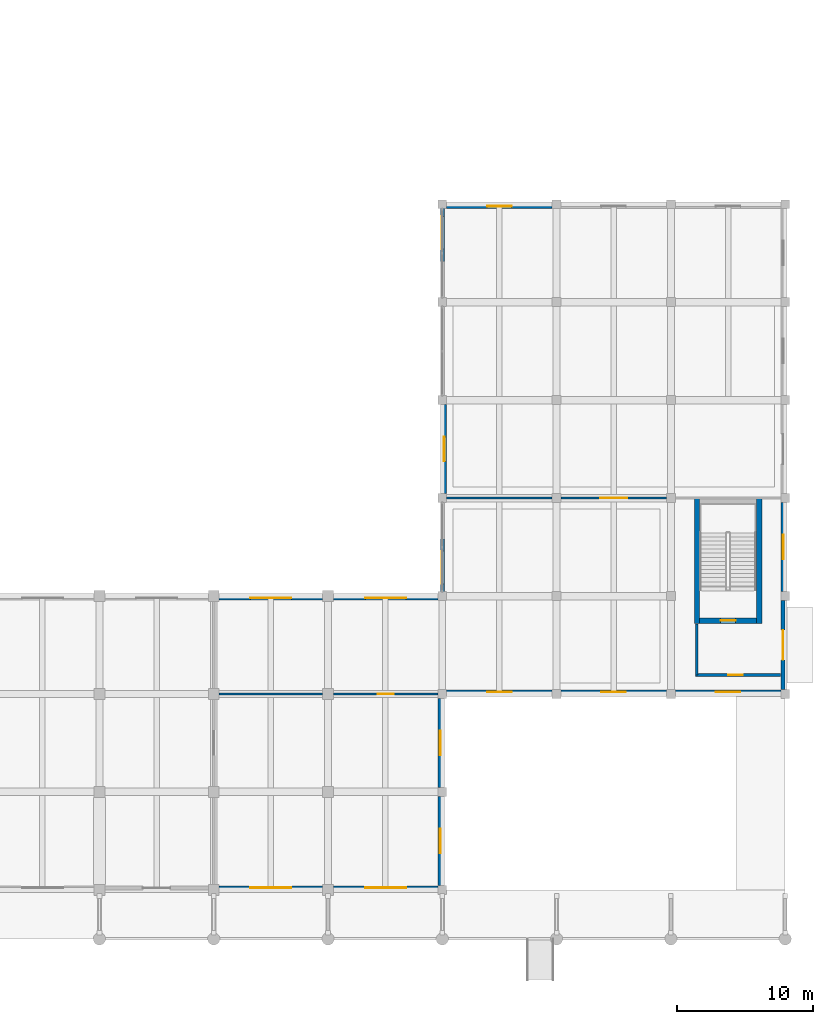
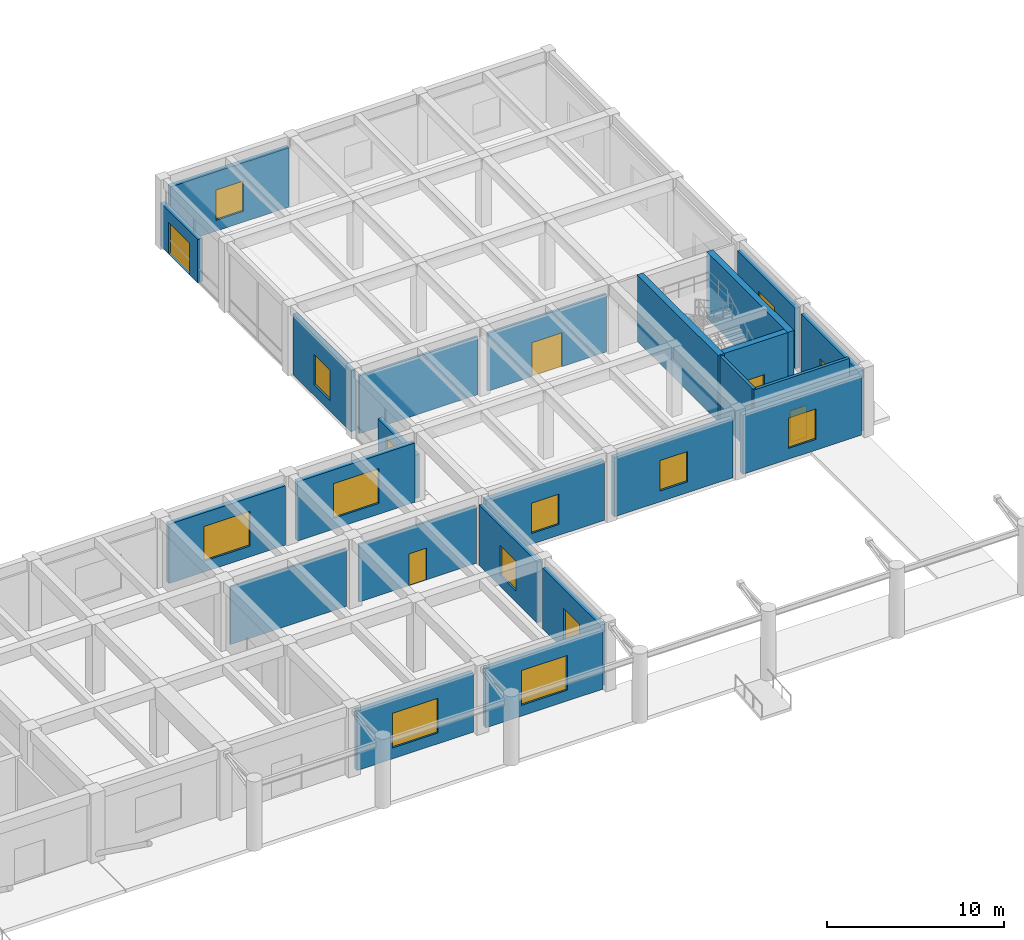
# One storey, part 33 of 49: 24 walls, 12 windows, 7 doors, 19 openings.
"""IFC4 building model written with IfcOpenShell, lengths in metres."""

from ifc_helpers import new_model, si_unit, direction, frame, frame_2d, origin, place, context, subcontext, project, spatial, rectangle, extrude, material, layer, layer_set, type_object, element, fill, save


model = new_model("IFC4")

# Units and contexts
model_context = context("Model", 3, precision=1e-05, world=origin(), true_north=direction((0.0, 1.0)))
body_context = subcontext(model_context, "Body", "Model", "MODEL_VIEW")
ifc_project = project(units=[si_unit("LENGTHUNIT", "METRE"), si_unit("AREAUNIT", "SQUARE_METRE"), si_unit("VOLUMEUNIT", "CUBIC_METRE"), si_unit("PLANEANGLEUNIT", "RADIAN"), si_unit("MASSUNIT", "GRAM", prefix="KILO")], contexts=[model_context])

# Site, building, storey
site_placement = place(None, origin())
site = spatial("IfcSite", under=ifc_project, at=site_placement, CompositionType="ELEMENT")
building_placement = place(site_placement, origin())
building = spatial("IfcBuilding", under=site, at=building_placement, Name="Kenerak Square Central Library", CompositionType="ELEMENT")
storey_placement = place(building_placement, origin())
storey = spatial("IfcBuildingStorey", under=building, at=storey_placement, Name="L00", CompositionType="ELEMENT", Elevation=0.0)

# Wall, opening, door
ifc_material_1 = material(Name="Precast concrete C40/50", Category="concrete")
ifc_layer_1 = layer(ifc_material_1, 0.14990234375)
ifc_layer_set_1 = layer_set([ifc_layer_1], Name="Precast concrete C40/50")
wall_type_1 = type_object("IfcWallType", Name="Acoustic Blockwork Partition IW-150 C40/50", PredefinedType="PARTITIONING", material=ifc_layer_set_1)
wall_1_placement = place(storey_placement, frame((167.27490234375, 45.60009765625, 0.0), z_axis=(0.0, 0.0, 1.0), x_axis=(-1.0, 0.0, 0.0)))
wall_1 = element("IfcWall", 1, at=wall_1_placement, inside=storey, type_object=wall_type_1, Name="Interior Wall IW-L00-10-S1-B2", PredefinedType="PARTITIONING", context=body_context, shape_type="SweptSolid", body=[
    extrude(rectangle(XDim=7.75, YDim=0.14990234375, at=frame_2d((3.875, 0.0))), origin(), (0.0, 0.0, 1.0), 4.0),
])
opening_1_placement = place(wall_1_placement, frame((2.89990234375, 0.0, 0.0)))
opening_1 = element("IfcOpeningElement", 2, at=opening_1_placement, cuts=wall_1, Name="Opening ID-12", PredefinedType="OPENING", context=body_context, shape_type="SweptSolid", body=[
    extrude(rectangle(XDim=1.949951171875, YDim=2.35009765625, at=frame_2d((0.97509765625, 1.175048828125))), frame((0.0, 0.0849609375, 0.0), z_axis=(0.0, -1.0, 0.0), x_axis=(1.0, 0.0, 0.0)), (0.0, 0.0, 1.0), 0.169921875),
])
ifc_material_2 = material(Name="Chengal hardwood timber SG1", Category="wood")
door_type_1 = type_object("IfcDoorType", Name="Children Hall Double Timber Door ID-1950x2350", OperationType="NOTDEFINED", PredefinedType="DOOR", material=ifc_material_2)
door_1_placement = place(opening_1_placement, origin())
door_1 = element("IfcDoor", 3, at=door_1_placement, inside=storey, type_object=door_type_1, Name="Children Reading Hall and Early-Literacy Garden Room Door", OperationType="DOUBLE_DOOR_SINGLE_SWING", OverallHeight=2.35009765625, OverallWidth=1.949951171875, PredefinedType="DOOR", context=body_context, shape_type="SweptSolid", body=[
    extrude(rectangle(XDim=1.949951171875, YDim=2.35009765625, at=frame_2d((0.97509765625, 1.175048828125))), frame((0.0, 0.02490234375, 0.0), z_axis=(0.0, -1.0, 0.0), x_axis=(1.0, 0.0, 0.0)), (0.0, 0.0, 1.0), 0.050048828125),
])
fill(opening_1, door_1)

# Wall
wall_2_placement = place(storey_placement, frame((158.875, 45.60009765625, 0.0), z_axis=(0.0, 0.0, 1.0), x_axis=(-1.0, 0.0, 0.0)))
element("IfcWall", 4, at=wall_2_placement, inside=storey, type_object=wall_type_1, Name="Interior Wall IW-L00-10-S1-B3", PredefinedType="PARTITIONING", context=body_context, shape_type="SweptSolid", body=[
    extrude(rectangle(XDim=7.75, YDim=0.14990234375, at=frame_2d((3.875, 0.0))), origin(), (0.0, 0.0, 1.0), 4.0),
])

# Wall, opening, window
ifc_material_3 = material(Name="Concrete C40/50", Category="concrete")
ifc_layer_2 = layer(ifc_material_3, 0.300048828125)
ifc_layer_set_2 = layer_set([ifc_layer_2], Name="Concrete C40/50")
wall_type_2 = type_object("IfcWallType", Name="Board-Marked Brutalist Facade Wall EW-300 C40/50", PredefinedType="SOLIDWALL", material=ifc_layer_set_2)
wall_3_placement = place(storey_placement, frame((134.39990234375, 38.25, 0.0), z_axis=(0.0, 0.0, 1.0), x_axis=(1.0, 0.0, 0.0)))
wall_3 = element("IfcWall", 5, at=wall_3_placement, inside=storey, type_object=wall_type_2, Name="Exterior Facade Wall L00 0060", PredefinedType="SOLIDWALL", context=body_context, shape_type="SweptSolid", body=[
    extrude(rectangle(XDim=7.60009765625, YDim=0.300048828125, at=frame_2d((3.800048828125, 0.0))), origin(), (0.0, 0.0, 1.0), 4.10009765625),
])
opening_2_placement = place(wall_3_placement, frame((2.300048828125, 0.0, 0.75)))
opening_2 = element("IfcOpeningElement", 6, at=opening_2_placement, cuts=wall_3, Name="Opening W-14", PredefinedType="OPENING", context=body_context, shape_type="SweptSolid", body=[
    extrude(rectangle(XDim=3.0, YDim=2.39990234375, at=frame_2d((1.5, 1.199951171875))), frame((0.0, 0.159912109375, 0.0), z_axis=(0.0, -1.0, 0.0), x_axis=(1.0, 0.0, 0.0)), (0.0, 0.0, 1.0), 0.320068359375),
])
ifc_material_4 = material(Name="Solar-control low-E laminated double glazing", Category="glass")
window_type_1 = type_object("IfcWindowType", Name="Street Cafe Display Window W-14 3000x2400", PartitioningType="SINGLE_PANEL", PredefinedType="WINDOW", material=ifc_material_4)
window_1_placement = place(opening_2_placement, origin())
window_1 = element("IfcWindow", 7, at=window_1_placement, inside=storey, type_object=window_type_1, Name="Window W-14 L00 0042", OverallHeight=2.39990234375, OverallWidth=3.0, PartitioningType="SINGLE_PANEL", PredefinedType="WINDOW", context=body_context, shape_type="SweptSolid", body=[
    extrude(rectangle(XDim=3.0, YDim=2.39990234375, at=frame_2d((1.5, 1.199951171875))), frame((0.0, 0.030029296875, 0.0), z_axis=(0.0, -1.0, 0.0), x_axis=(1.0, 0.0, 0.0)), (0.0, 0.0, 1.0), 0.06005859375),
])
fill(opening_2, window_1)

wall_4_placement = place(storey_placement, frame((142.800048828125, 38.25, 0.0), z_axis=(0.0, 0.0, 1.0), x_axis=(1.0, 0.0, 0.0)))
wall_4 = element("IfcWall", 8, at=wall_4_placement, inside=storey, type_object=wall_type_2, Name="Exterior Facade Wall L00 0061", PredefinedType="SOLIDWALL", context=body_context, shape_type="SweptSolid", body=[
    extrude(rectangle(XDim=7.675048828125, YDim=0.300048828125, at=frame_2d((3.83740234375, 0.0))), origin(), (0.0, 0.0, 1.0), 4.10009765625),
])
opening_3_placement = place(wall_4_placement, frame((2.33740234375, 0.0, 0.75)))
opening_3 = element("IfcOpeningElement", 9, at=opening_3_placement, cuts=wall_4, Name="Opening W-14", PredefinedType="OPENING", context=body_context, shape_type="SweptSolid", body=[
    extrude(rectangle(XDim=3.0, YDim=2.39990234375, at=frame_2d((1.5, 1.199951171875))), frame((0.0, 0.159912109375, 0.0), z_axis=(0.0, -1.0, 0.0), x_axis=(1.0, 0.0, 0.0)), (0.0, 0.0, 1.0), 0.320068359375),
])
window_2_placement = place(opening_3_placement, origin())
window_2 = element("IfcWindow", 10, at=window_2_placement, inside=storey, type_object=window_type_1, Name="Window W-14 L00 0043", OverallHeight=2.39990234375, OverallWidth=3.0, PartitioningType="SINGLE_PANEL", PredefinedType="WINDOW", context=body_context, shape_type="SweptSolid", body=[
    extrude(rectangle(XDim=3.0, YDim=2.39990234375, at=frame_2d((1.5, 1.199951171875))), frame((0.0, 0.030029296875, 0.0), z_axis=(0.0, -1.0, 0.0), x_axis=(1.0, 0.0, 0.0)), (0.0, 0.0, 1.0), 0.06005859375),
])
fill(opening_3, window_2)

wall_5_placement = place(storey_placement, frame((150.949951171875, 45.925048828125, 0.0), z_axis=(0.0, 0.0, 1.0), x_axis=(0.0, 1.0, 0.0)))
wall_5 = element("IfcWall", 11, at=wall_5_placement, inside=storey, type_object=wall_type_2, Name="Exterior Facade Wall L00 0062", PredefinedType="SOLIDWALL", context=body_context, shape_type="SweptSolid", body=[
    extrude(rectangle(XDim=6.550048828125, YDim=0.300048828125, at=frame_2d((3.27490234375, 0.0))), origin(), (0.0, 0.0, 1.0), 4.199951171875),
])
opening_4_placement = place(wall_5_placement, frame((2.375, 0.0, 0.75)))
opening_4 = element("IfcOpeningElement", 12, at=opening_4_placement, cuts=wall_5, Name="Opening W-09", PredefinedType="OPENING", context=body_context, shape_type="SweptSolid", body=[
    extrude(rectangle(XDim=1.800048828125, YDim=2.10009765625, at=frame_2d((0.89990234375, 1.050048828125))), frame((0.0, 0.159912109375, 0.0), z_axis=(0.0, -1.0, 0.0), x_axis=(1.0, 0.0, 0.0)), (0.0, 0.0, 1.0), 0.320068359375),
])
window_type_2 = type_object("IfcWindowType", Name="Children Bay Picture Window W-09 1800x2100", PartitioningType="SINGLE_PANEL", PredefinedType="WINDOW", material=ifc_material_4)
window_3_placement = place(opening_4_placement, origin())
window_3 = element("IfcWindow", 13, at=window_3_placement, inside=storey, type_object=window_type_2, Name="Window W-09 L00 0044", OverallHeight=2.10009765625, OverallWidth=1.800048828125, PartitioningType="SINGLE_PANEL", PredefinedType="WINDOW", context=body_context, shape_type="SweptSolid", body=[
    extrude(rectangle(XDim=1.800048828125, YDim=2.10009765625, at=frame_2d((0.89990234375, 1.050048828125))), frame((0.0, 0.030029296875, 0.0), z_axis=(0.0, -1.0, 0.0), x_axis=(1.0, 0.0, 0.0)), (0.0, 0.0, 1.0), 0.06005859375),
])
fill(opening_4, window_3)

wall_6_placement = place(storey_placement, frame((151.125, 67.050048828125, 0.0), z_axis=(0.0, 0.0, 1.0), x_axis=(1.0, 0.0, 0.0)))
wall_6 = element("IfcWall", 14, at=wall_6_placement, inside=storey, type_object=wall_type_2, Name="Exterior Facade Wall L00 0063", PredefinedType="SOLIDWALL", context=body_context, shape_type="SweptSolid", body=[
    extrude(rectangle(XDim=7.75, YDim=0.300048828125, at=frame_2d((3.875, 0.0))), origin(), (0.0, 0.0, 1.0), 4.10009765625),
])
opening_5_placement = place(wall_6_placement, frame((2.97509765625, 0.0, 0.75)))
opening_5 = element("IfcOpeningElement", 15, at=opening_5_placement, cuts=wall_6, Name="Opening W-09", PredefinedType="OPENING", context=body_context, shape_type="SweptSolid", body=[
    extrude(rectangle(XDim=1.800048828125, YDim=2.10009765625, at=frame_2d((0.89990234375, 1.050048828125))), frame((0.0, 0.159912109375, 0.0), z_axis=(0.0, -1.0, 0.0), x_axis=(1.0, 0.0, 0.0)), (0.0, 0.0, 1.0), 0.320068359375),
])
window_4_placement = place(opening_5_placement, origin())
window_4 = element("IfcWindow", 16, at=window_4_placement, inside=storey, type_object=window_type_2, Name="Window W-09 L00 0045", OverallHeight=2.10009765625, OverallWidth=1.800048828125, PartitioningType="SINGLE_PANEL", PredefinedType="WINDOW", context=body_context, shape_type="SweptSolid", body=[
    extrude(rectangle(XDim=1.800048828125, YDim=2.10009765625, at=frame_2d((0.89990234375, 1.050048828125))), frame((0.0, 0.030029296875, 0.0), z_axis=(0.0, -1.0, 0.0), x_axis=(1.0, 0.0, 0.0)), (0.0, 0.0, 1.0), 0.06005859375),
])
fill(opening_5, window_4)

wall_7_placement = place(storey_placement, frame((175.85009765625, 45.27490234375, 0.0), z_axis=(0.0, 0.0, 1.0), x_axis=(0.0, -1.0, 0.0)))
wall_7 = element("IfcWall", 17, at=wall_7_placement, inside=storey, type_object=wall_type_2, Name="Exterior Facade Wall L00 0069", PredefinedType="SOLIDWALL", context=body_context, shape_type="SweptSolid", body=[
    extrude(rectangle(XDim=6.5498046875, YDim=0.300048828125, at=frame_2d((3.27490234375, 0.0))), origin(), (0.0, 0.0, 1.0), 4.199951171875),
])
opening_6_placement = place(wall_7_placement, frame((2.375, 0.0, 0.75)))
opening_6 = element("IfcOpeningElement", 18, at=opening_6_placement, cuts=wall_7, Name="Opening W-09", PredefinedType="OPENING", context=body_context, shape_type="SweptSolid", body=[
    extrude(rectangle(XDim=1.800048828125, YDim=2.10009765625, at=frame_2d((0.89990234375, 1.050048828125))), frame((0.0, 0.159912109375, 0.0), z_axis=(0.0, -1.0, 0.0), x_axis=(1.0, 0.0, 0.0)), (0.0, 0.0, 1.0), 0.320068359375),
])
window_5_placement = place(opening_6_placement, origin())
window_5 = element("IfcWindow", 19, at=window_5_placement, inside=storey, type_object=window_type_2, Name="Window W-09 L00 0050", OverallHeight=2.10009765625, OverallWidth=1.800048828125, PartitioningType="SINGLE_PANEL", PredefinedType="WINDOW", context=body_context, shape_type="SweptSolid", body=[
    extrude(rectangle(XDim=1.800048828125, YDim=2.10009765625, at=frame_2d((0.89990234375, 1.050048828125))), frame((0.0, 0.030029296875, 0.0), z_axis=(0.0, -1.0, 0.0), x_axis=(1.0, 0.0, 0.0)), (0.0, 0.0, 1.0), 0.06005859375),
])
fill(opening_6, window_5)

# Wall, opening, door
wall_8_placement = place(storey_placement, frame((175.85009765625, 38.074951171875, 0.0), z_axis=(0.0, 0.0, 1.0), x_axis=(0.0, -1.0, 0.0)))
wall_8 = element("IfcWall", 20, at=wall_8_placement, inside=storey, type_object=wall_type_2, Name="Exterior Facade Wall L00 0070", PredefinedType="SOLIDWALL", context=body_context, shape_type="SweptSolid", body=[
    extrude(rectangle(XDim=6.550048828125, YDim=0.300048828125, at=frame_2d((3.27490234375, 0.0))), origin(), (0.0, 0.0, 1.0), 4.199951171875),
])
opening_7_placement = place(wall_8_placement, frame((2.175048828125, 0.0, 0.0)))
opening_7 = element("IfcOpeningElement", 21, at=opening_7_placement, cuts=wall_8, Name="Opening ED-03", PredefinedType="OPENING", context=body_context, shape_type="SweptSolid", body=[
    extrude(rectangle(XDim=2.199951171875, YDim=2.39990234375, at=frame_2d((1.10009765625, 1.199951171875))), frame((0.0, 0.159912109375, 0.0), z_axis=(0.0, -1.0, 0.0), x_axis=(1.0, 0.0, 0.0)), (0.0, 0.0, 1.0), 0.320068359375),
])
ifc_material_5 = material(Name="Anodised aluminium and laminated glass", Category="aluminium")
door_type_2 = type_object("IfcDoorType", Name="Auditorium Foyer Double Exit Door ED-2200x2400", OperationType="NOTDEFINED", PredefinedType="DOOR", material=ifc_material_5)
door_2_placement = place(opening_7_placement, origin())
door_2 = element("IfcDoor", 22, at=door_2_placement, inside=storey, type_object=door_type_2, Name="Exterior Entrance Door L00 007", OperationType="DOUBLE_DOOR_SINGLE_SWING", OverallHeight=2.39990234375, OverallWidth=2.199951171875, PredefinedType="DOOR", context=body_context, shape_type="SweptSolid", body=[
    extrude(rectangle(XDim=2.199951171875, YDim=2.39990234375, at=frame_2d((1.10009765625, 1.199951171875))), frame((0.0, 0.02490234375, 0.0), z_axis=(0.0, -1.0, 0.0), x_axis=(1.0, 0.0, 0.0)), (0.0, 0.0, 1.0), 0.050048828125),
])
fill(opening_7, door_2)

# Wall, opening, window
wall_9_placement = place(storey_placement, frame((175.675048828125, 31.35009765625, 0.0), z_axis=(0.0, 0.0, 1.0), x_axis=(-1.0, 0.0, 0.0)))
wall_9 = element("IfcWall", 23, at=wall_9_placement, inside=storey, type_object=wall_type_2, Name="Exterior Facade Wall L00 0071", PredefinedType="SOLIDWALL", context=body_context, shape_type="SweptSolid", body=[
    extrude(rectangle(XDim=7.75, YDim=0.300048828125, at=frame_2d((3.875, 0.0))), origin(), (0.0, 0.0, 1.0), 4.10009765625),
])
opening_8_placement = place(wall_9_placement, frame((2.97509765625, 0.0, 0.75)))
opening_8 = element("IfcOpeningElement", 24, at=opening_8_placement, cuts=wall_9, Name="Opening W-09", PredefinedType="OPENING", context=body_context, shape_type="SweptSolid", body=[
    extrude(rectangle(XDim=1.800048828125, YDim=2.10009765625, at=frame_2d((0.89990234375, 1.050048828125))), frame((0.0, 0.159912109375, 0.0), z_axis=(0.0, -1.0, 0.0), x_axis=(1.0, 0.0, 0.0)), (0.0, 0.0, 1.0), 0.320068359375),
])
window_6_placement = place(opening_8_placement, origin())
window_6 = element("IfcWindow", 25, at=window_6_placement, inside=storey, type_object=window_type_2, Name="Window W-09 L00 0051", OverallHeight=2.10009765625, OverallWidth=1.800048828125, PartitioningType="SINGLE_PANEL", PredefinedType="WINDOW", context=body_context, shape_type="SweptSolid", body=[
    extrude(rectangle(XDim=1.800048828125, YDim=2.10009765625, at=frame_2d((0.89990234375, 1.050048828125))), frame((0.0, 0.030029296875, 0.0), z_axis=(0.0, -1.0, 0.0), x_axis=(1.0, 0.0, 0.0)), (0.0, 0.0, 1.0), 0.06005859375),
])
fill(opening_8, window_6)

wall_10_placement = place(storey_placement, frame((167.27490234375, 31.35009765625, 0.0), z_axis=(0.0, 0.0, 1.0), x_axis=(-1.0, 0.0, 0.0)))
wall_10 = element("IfcWall", 26, at=wall_10_placement, inside=storey, type_object=wall_type_2, Name="Exterior Facade Wall L00 0072", PredefinedType="SOLIDWALL", context=body_context, shape_type="SweptSolid", body=[
    extrude(rectangle(XDim=7.75, YDim=0.300048828125, at=frame_2d((3.875, 0.0))), origin(), (0.0, 0.0, 1.0), 4.10009765625),
])
opening_9_placement = place(wall_10_placement, frame((2.97509765625, 0.0, 0.75)))
opening_9 = element("IfcOpeningElement", 27, at=opening_9_placement, cuts=wall_10, Name="Opening W-09", PredefinedType="OPENING", context=body_context, shape_type="SweptSolid", body=[
    extrude(rectangle(XDim=1.800048828125, YDim=2.10009765625, at=frame_2d((0.89990234375, 1.050048828125))), frame((0.0, 0.159912109375, 0.0), z_axis=(0.0, -1.0, 0.0), x_axis=(1.0, 0.0, 0.0)), (0.0, 0.0, 1.0), 0.320068359375),
])
window_7_placement = place(opening_9_placement, origin())
window_7 = element("IfcWindow", 28, at=window_7_placement, inside=storey, type_object=window_type_2, Name="Window W-09 L00 0052", OverallHeight=2.10009765625, OverallWidth=1.800048828125, PartitioningType="SINGLE_PANEL", PredefinedType="WINDOW", context=body_context, shape_type="SweptSolid", body=[
    extrude(rectangle(XDim=1.800048828125, YDim=2.10009765625, at=frame_2d((0.89990234375, 1.050048828125))), frame((0.0, 0.030029296875, 0.0), z_axis=(0.0, -1.0, 0.0), x_axis=(1.0, 0.0, 0.0)), (0.0, 0.0, 1.0), 0.06005859375),
])
fill(opening_9, window_7)

wall_11_placement = place(storey_placement, frame((158.875, 31.35009765625, 0.0), z_axis=(0.0, 0.0, 1.0), x_axis=(-1.0, 0.0, 0.0)))
wall_11 = element("IfcWall", 29, at=wall_11_placement, inside=storey, type_object=wall_type_2, Name="Exterior Facade Wall L00 0073", PredefinedType="SOLIDWALL", context=body_context, shape_type="SweptSolid", body=[
    extrude(rectangle(XDim=7.75, YDim=0.300048828125, at=frame_2d((3.875, 0.0))), origin(), (0.0, 0.0, 1.0), 4.10009765625),
])
opening_10_placement = place(wall_11_placement, frame((2.97509765625, 0.0, 0.75)))
opening_10 = element("IfcOpeningElement", 30, at=opening_10_placement, cuts=wall_11, Name="Opening W-09", PredefinedType="OPENING", context=body_context, shape_type="SweptSolid", body=[
    extrude(rectangle(XDim=1.800048828125, YDim=2.10009765625, at=frame_2d((0.89990234375, 1.050048828125))), frame((0.0, 0.159912109375, 0.0), z_axis=(0.0, -1.0, 0.0), x_axis=(1.0, 0.0, 0.0)), (0.0, 0.0, 1.0), 0.320068359375),
])
window_8_placement = place(opening_10_placement, origin())
window_8 = element("IfcWindow", 31, at=window_8_placement, inside=storey, type_object=window_type_2, Name="Window W-09 L00 0053", OverallHeight=2.10009765625, OverallWidth=1.800048828125, PartitioningType="SINGLE_PANEL", PredefinedType="WINDOW", context=body_context, shape_type="SweptSolid", body=[
    extrude(rectangle(XDim=1.800048828125, YDim=2.10009765625, at=frame_2d((0.89990234375, 1.050048828125))), frame((0.0, 0.030029296875, 0.0), z_axis=(0.0, -1.0, 0.0), x_axis=(1.0, 0.0, 0.0)), (0.0, 0.0, 1.0), 0.06005859375),
])
fill(opening_10, window_8)

wall_12_placement = place(storey_placement, frame((150.64990234375, 30.875, 0.0), z_axis=(0.0, 0.0, 1.0), x_axis=(0.0, -1.0, 0.0)))
wall_12 = element("IfcWall", 32, at=wall_12_placement, inside=storey, type_object=wall_type_2, Name="Exterior Facade Wall L00 0074", PredefinedType="SOLIDWALL", context=body_context, shape_type="SweptSolid", body=[
    extrude(rectangle(XDim=6.550048828125, YDim=0.300048828125, at=frame_2d((3.27490234375, 0.0))), origin(), (0.0, 0.0, 1.0), 4.199951171875),
])
opening_11_placement = place(wall_12_placement, frame((2.375, 0.0, 0.75)))
opening_11 = element("IfcOpeningElement", 33, at=opening_11_placement, cuts=wall_12, Name="Opening W-09", PredefinedType="OPENING", context=body_context, shape_type="SweptSolid", body=[
    extrude(rectangle(XDim=1.800048828125, YDim=2.10009765625, at=frame_2d((0.89990234375, 1.050048828125))), frame((0.0, 0.159912109375, 0.0), z_axis=(0.0, -1.0, 0.0), x_axis=(1.0, 0.0, 0.0)), (0.0, 0.0, 1.0), 0.320068359375),
])
window_9_placement = place(opening_11_placement, origin())
window_9 = element("IfcWindow", 34, at=window_9_placement, inside=storey, type_object=window_type_2, Name="Window W-09 L00 0054", OverallHeight=2.10009765625, OverallWidth=1.800048828125, PartitioningType="SINGLE_PANEL", PredefinedType="WINDOW", context=body_context, shape_type="SweptSolid", body=[
    extrude(rectangle(XDim=1.800048828125, YDim=2.10009765625, at=frame_2d((0.89990234375, 1.050048828125))), frame((0.0, 0.030029296875, 0.0), z_axis=(0.0, -1.0, 0.0), x_axis=(1.0, 0.0, 0.0)), (0.0, 0.0, 1.0), 0.06005859375),
])
fill(opening_11, window_9)

wall_13_placement = place(storey_placement, frame((150.64990234375, 23.675048828125, 0.0), z_axis=(0.0, 0.0, 1.0), x_axis=(0.0, -1.0, 0.0)))
wall_13 = element("IfcWall", 35, at=wall_13_placement, inside=storey, type_object=wall_type_2, Name="Exterior Facade Wall L00 0075", PredefinedType="SOLIDWALL", context=body_context, shape_type="SweptSolid", body=[
    extrude(rectangle(XDim=6.550048828125, YDim=0.300048828125, at=frame_2d((3.27490234375, 0.0))), origin(), (0.0, 0.0, 1.0), 4.199951171875),
])
opening_12_placement = place(wall_13_placement, frame((2.375, 0.0, 0.75)))
opening_12 = element("IfcOpeningElement", 36, at=opening_12_placement, cuts=wall_13, Name="Opening W-09", PredefinedType="OPENING", context=body_context, shape_type="SweptSolid", body=[
    extrude(rectangle(XDim=1.800048828125, YDim=2.10009765625, at=frame_2d((0.89990234375, 1.050048828125))), frame((0.0, 0.159912109375, 0.0), z_axis=(0.0, -1.0, 0.0), x_axis=(1.0, 0.0, 0.0)), (0.0, 0.0, 1.0), 0.320068359375),
])
window_10_placement = place(opening_12_placement, origin())
window_10 = element("IfcWindow", 37, at=window_10_placement, inside=storey, type_object=window_type_2, Name="Window W-09 L00 0055", OverallHeight=2.10009765625, OverallWidth=1.800048828125, PartitioningType="SINGLE_PANEL", PredefinedType="WINDOW", context=body_context, shape_type="SweptSolid", body=[
    extrude(rectangle(XDim=1.800048828125, YDim=2.10009765625, at=frame_2d((0.89990234375, 1.050048828125))), frame((0.0, 0.030029296875, 0.0), z_axis=(0.0, -1.0, 0.0), x_axis=(1.0, 0.0, 0.0)), (0.0, 0.0, 1.0), 0.06005859375),
])
fill(opening_12, window_10)

wall_14_placement = place(storey_placement, frame((150.47509765625, 16.949951171875, 0.0), z_axis=(0.0, 0.0, 1.0), x_axis=(-1.0, 0.0, 0.0)))
wall_14 = element("IfcWall", 38, at=wall_14_placement, inside=storey, type_object=wall_type_2, Name="Exterior Facade Wall L00 0076", PredefinedType="SOLIDWALL", context=body_context, shape_type="SweptSolid", body=[
    extrude(rectangle(XDim=7.675048828125, YDim=0.300048828125, at=frame_2d((3.83740234375, 0.0))), origin(), (0.0, 0.0, 1.0), 4.10009765625),
])
opening_13_placement = place(wall_14_placement, frame((2.33740234375, 0.0, 0.75)))
opening_13 = element("IfcOpeningElement", 39, at=opening_13_placement, cuts=wall_14, Name="Opening W-14", PredefinedType="OPENING", context=body_context, shape_type="SweptSolid", body=[
    extrude(rectangle(XDim=3.0, YDim=2.39990234375, at=frame_2d((1.5, 1.199951171875))), frame((0.0, 0.159912109375, 0.0), z_axis=(0.0, -1.0, 0.0), x_axis=(1.0, 0.0, 0.0)), (0.0, 0.0, 1.0), 0.320068359375),
])
window_11_placement = place(opening_13_placement, origin())
window_11 = element("IfcWindow", 40, at=window_11_placement, inside=storey, type_object=window_type_1, Name="Window W-14 L00 0056", OverallHeight=2.39990234375, OverallWidth=3.0, PartitioningType="SINGLE_PANEL", PredefinedType="WINDOW", context=body_context, shape_type="SweptSolid", body=[
    extrude(rectangle(XDim=3.0, YDim=2.39990234375, at=frame_2d((1.5, 1.199951171875))), frame((0.0, 0.030029296875, 0.0), z_axis=(0.0, -1.0, 0.0), x_axis=(1.0, 0.0, 0.0)), (0.0, 0.0, 1.0), 0.06005859375),
])
fill(opening_13, window_11)

wall_15_placement = place(storey_placement, frame((142.0, 16.949951171875, 0.0), z_axis=(0.0, 0.0, 1.0), x_axis=(-1.0, 0.0, 0.0)))
wall_15 = element("IfcWall", 41, at=wall_15_placement, inside=storey, type_object=wall_type_2, Name="Exterior Facade Wall L00 0077", PredefinedType="SOLIDWALL", context=body_context, shape_type="SweptSolid", body=[
    extrude(rectangle(XDim=7.60009765625, YDim=0.300048828125, at=frame_2d((3.800048828125, 0.0))), origin(), (0.0, 0.0, 1.0), 4.10009765625),
])
opening_14_placement = place(wall_15_placement, frame((2.300048828125, 0.0, 0.75)))
opening_14 = element("IfcOpeningElement", 42, at=opening_14_placement, cuts=wall_15, Name="Opening W-14", PredefinedType="OPENING", context=body_context, shape_type="SweptSolid", body=[
    extrude(rectangle(XDim=3.0, YDim=2.39990234375, at=frame_2d((1.5, 1.199951171875))), frame((0.0, 0.159912109375, 0.0), z_axis=(0.0, -1.0, 0.0), x_axis=(1.0, 0.0, 0.0)), (0.0, 0.0, 1.0), 0.320068359375),
])
window_12_placement = place(opening_14_placement, origin())
window_12 = element("IfcWindow", 43, at=window_12_placement, inside=storey, type_object=window_type_1, Name="Window W-14 L00 0057", OverallHeight=2.39990234375, OverallWidth=3.0, PartitioningType="SINGLE_PANEL", PredefinedType="WINDOW", context=body_context, shape_type="SweptSolid", body=[
    extrude(rectangle(XDim=3.0, YDim=2.39990234375, at=frame_2d((1.5, 1.199951171875))), frame((0.0, 0.030029296875, 0.0), z_axis=(0.0, -1.0, 0.0), x_axis=(1.0, 0.0, 0.0)), (0.0, 0.0, 1.0), 0.06005859375),
])
fill(opening_14, window_12)

# Wall, opening, door
wall_16_placement = place(storey_placement, frame((150.800048828125, 38.39990234375, 0.0), z_axis=(0.0, 0.0, 1.0), x_axis=(0.0, 1.0, 0.0)))
wall_16 = element("IfcWall", 44, at=wall_16_placement, inside=storey, type_object=wall_type_2, Name="Children Garden East Screen Wall", PredefinedType="SOLIDWALL", context=body_context, shape_type="SweptSolid", body=[
    extrude(rectangle(XDim=4.2001953125, YDim=0.300048828125, at=frame_2d((2.10009765625, 0.0))), origin(), (0.0, 0.0, 1.0), 3.0),
])
opening_15_placement = place(wall_16_placement, frame((0.89990234375, 0.0, 0.0)))
opening_15 = element("IfcOpeningElement", 45, at=opening_15_placement, cuts=wall_16, Name="Opening CG-01", PredefinedType="OPENING", context=body_context, shape_type="SweptSolid", body=[
    extrude(rectangle(XDim=2.39990234375, YDim=2.199951171875, at=frame_2d((1.199951171875, 1.10009765625))), frame((0.0, 0.159912109375, 0.0), z_axis=(0.0, -1.0, 0.0), x_axis=(1.0, 0.0, 0.0)), (0.0, 0.0, 1.0), 0.320068359375),
])
ifc_material_6 = material(Name="Steel S355", Category="steel")
door_type_3 = type_object("IfcDoorType", Name="Courtyard Perimeter Security Gate CG-2400x2200", OperationType="NOTDEFINED", PredefinedType="GATE", material=ifc_material_6)
door_3_placement = place(opening_15_placement, origin())
door_3 = element("IfcDoor", 46, at=door_3_placement, inside=storey, type_object=door_type_3, Name="Children Garden East Screen Security Gate CG-01 03", OperationType="DOUBLE_DOOR_SINGLE_SWING", OverallHeight=2.199951171875, OverallWidth=2.39990234375, PredefinedType="GATE", context=body_context, shape_type="SweptSolid", body=[
    extrude(rectangle(XDim=2.39990234375, YDim=2.199951171875, at=frame_2d((1.199951171875, 1.10009765625))), frame((0.0, 0.02490234375, 0.0), z_axis=(0.0, -1.0, 0.0), x_axis=(1.0, 0.0, 0.0)), (0.0, 0.0, 1.0), 0.050048828125),
])
fill(opening_15, door_3)

wall_17_placement = place(storey_placement, frame((150.800048828125, 63.0, 0.0), z_axis=(0.0, 0.0, 1.0), x_axis=(0.0, 1.0, 0.0)))
wall_17 = element("IfcWall", 47, at=wall_17_placement, inside=storey, type_object=wall_type_2, Name="Children Garden North Screen Wall", PredefinedType="SOLIDWALL", context=body_context, shape_type="SweptSolid", body=[
    extrude(rectangle(XDim=4.199951171875, YDim=0.300048828125, at=frame_2d((2.10009765625, 0.0))), origin(), (0.0, 0.0, 1.0), 3.0),
])
opening_16_placement = place(wall_17_placement, frame((0.89990234375, 0.0, 0.0)))
opening_16 = element("IfcOpeningElement", 48, at=opening_16_placement, cuts=wall_17, Name="Opening CG-01", PredefinedType="OPENING", context=body_context, shape_type="SweptSolid", body=[
    extrude(rectangle(XDim=2.39990234375, YDim=2.199951171875, at=frame_2d((1.199951171875, 1.10009765625))), frame((0.0, 0.159912109375, 0.0), z_axis=(0.0, -1.0, 0.0), x_axis=(1.0, 0.0, 0.0)), (0.0, 0.0, 1.0), 0.320068359375),
])
door_4_placement = place(opening_16_placement, origin())
door_4 = element("IfcDoor", 49, at=door_4_placement, inside=storey, type_object=door_type_3, Name="Children Garden North Screen Security Gate CG-01 04", OperationType="DOUBLE_DOOR_SINGLE_SWING", OverallHeight=2.199951171875, OverallWidth=2.39990234375, PredefinedType="GATE", context=body_context, shape_type="SweptSolid", body=[
    extrude(rectangle(XDim=2.39990234375, YDim=2.199951171875, at=frame_2d((1.199951171875, 1.10009765625))), frame((0.0, 0.02490234375, 0.0), z_axis=(0.0, -1.0, 0.0), x_axis=(1.0, 0.0, 0.0)), (0.0, 0.0, 1.0), 0.050048828125),
])
fill(opening_16, door_4)

# Walls
ifc_layer_3 = layer(ifc_material_3, 0.39990234375)
ifc_layer_set_3 = layer_set([ifc_layer_3], Name="Concrete C40/50")
wall_type_3 = type_object("IfcWallType", Name="Core Shear Wall CW-400 C40/50", PredefinedType="SHEAR", material=ifc_layer_set_3)
for number, where, z_axis, x_axis, name in (
    (50, (169.52001953125, 36.39990234375, 0.0), (0.0, 0.0, 1.0), (0.0, 1.0, 0.0), "Core Wall CW-C7 L00 West"),
    (51, (174.080078125, 45.60009765625, 0.0), (0.0, 0.0, 1.0), (0.0, -1.0, 0.0), "Core Wall CW-C7 L00 East"),
):
    element("IfcWall", number, at=place(storey_placement, frame(where, z_axis=z_axis, x_axis=x_axis)), inside=storey, type_object=wall_type_3, Name=name, PredefinedType="SHEAR", context=body_context, shape_type="SweptSolid", body=[
        extrude(rectangle(XDim=9.2001953125, YDim=0.39990234375, at=frame_2d((4.60009765625, 0.0))), origin(), (0.0, 0.0, 1.0), 4.574951171875),
    ])

# Wall, opening, door
wall_18_placement = place(storey_placement, frame((173.8798828125, 36.60009765625, 0.0), z_axis=(0.0, 0.0, 1.0), x_axis=(-1.0, 0.0, 0.0)))
wall_18 = element("IfcWall", 52, at=wall_18_placement, inside=storey, type_object=wall_type_3, Name="Core Wall CW-C7 L00 South", PredefinedType="SHEAR", context=body_context, shape_type="SweptSolid", body=[
    extrude(rectangle(XDim=4.159912109375, YDim=0.39990234375, at=frame_2d((2.080078125, 0.0))), origin(), (0.0, 0.0, 1.0), 4.574951171875),
])
opening_17_placement = place(wall_18_placement, frame((1.530029296875, 0.0, 0.0)))
opening_17 = element("IfcOpeningElement", 53, at=opening_17_placement, cuts=wall_18, Name="Opening D-ST1", PredefinedType="OPENING", context=body_context, shape_type="SweptSolid", body=[
    extrude(rectangle(XDim=1.10009765625, YDim=2.199951171875, at=frame_2d((0.550048828125, 1.10009765625))), frame((0.0, 0.2099609375, 0.0), z_axis=(0.0, -1.0, 0.0), x_axis=(1.0, 0.0, 0.0)), (0.0, 0.0, 1.0), 0.419921875),
])
door_type_4 = type_object("IfcDoorType", Name="Protected Stair Fire Door FD-1100x2200 FD60S", OperationType="NOTDEFINED", PredefinedType="DOOR", material=ifc_material_6)
door_5_placement = place(opening_17_placement, frame((1.10009765625, 0.0, 0.0), z_axis=(0.0, 0.0, 1.0), x_axis=(-1.0, 0.0, 0.0)))
door_5 = element("IfcDoor", 54, at=door_5_placement, inside=storey, type_object=door_type_4, Name="Stair Door ST-07 L00", OperationType="SINGLE_SWING_LEFT", OverallHeight=2.199951171875, OverallWidth=1.10009765625, PredefinedType="DOOR", context=body_context, shape_type="SweptSolid", body=[
    extrude(rectangle(XDim=1.10009765625, YDim=2.199951171875, at=frame_2d((0.550048828125, 1.10009765625))), frame((0.0, 0.02490234375, 0.0), z_axis=(0.0, -1.0, 0.0), x_axis=(1.0, 0.0, 0.0)), (0.0, 0.0, 1.0), 0.050048828125),
])
fill(opening_17, door_5)

# Wall
ifc_material_7 = material(Name="Acoustic gypsum plasterboard on steel studs", Category="steel")
ifc_layer_4 = layer(ifc_material_7, 0.1201171875)
ifc_layer_set_4 = layer_set([ifc_layer_4], Name="Acoustic gypsum plasterboard on steel studs")
wall_type_4 = type_object("IfcWallType", Name="Lightweight Drywall Partition IW-120", PredefinedType="PARTITIONING", material=ifc_layer_set_4)
wall_19_placement = place(storey_placement, frame((134.39990234375, 31.199951171875, 0.0), z_axis=(0.0, 0.0, 1.0), x_axis=(1.0, 0.0, 0.0)))
element("IfcWall", 55, at=wall_19_placement, inside=storey, type_object=wall_type_4, Name="Interior Wall IW-L00-07-N2-B1", PredefinedType="PARTITIONING", context=body_context, shape_type="SweptSolid", body=[
    extrude(rectangle(XDim=7.60009765625, YDim=0.1201171875, at=frame_2d((3.800048828125, 0.0))), origin(), (0.0, 0.0, 1.0), 4.0),
])

# Wall, opening, door
wall_20_placement = place(storey_placement, frame((142.800048828125, 31.199951171875, 0.0), z_axis=(0.0, 0.0, 1.0), x_axis=(1.0, 0.0, 0.0)))
wall_20 = element("IfcWall", 56, at=wall_20_placement, inside=storey, type_object=wall_type_4, Name="Interior Wall IW-L00-07-N2-B2", PredefinedType="PARTITIONING", context=body_context, shape_type="SweptSolid", body=[
    extrude(rectangle(XDim=7.675048828125, YDim=0.1201171875, at=frame_2d((3.83740234375, 0.0))), origin(), (0.0, 0.0, 1.0), 4.0),
])
opening_18_placement = place(wall_20_placement, frame((3.262451171875, 0.0, 0.0)))
opening_18 = element("IfcOpeningElement", 57, at=opening_18_placement, cuts=wall_20, Name="Opening ID-05", PredefinedType="OPENING", context=body_context, shape_type="SweptSolid", body=[
    extrude(rectangle(XDim=1.14990234375, YDim=2.199951171875, at=frame_2d((0.574951171875, 1.10009765625))), frame((0.0, 0.070068359375, 0.0), z_axis=(0.0, -1.0, 0.0), x_axis=(1.0, 0.0, 0.0)), (0.0, 0.0, 1.0), 0.14013671875),
])
door_type_5 = type_object("IfcDoorType", Name="Seminar Room Acoustic Door ID-1150x2200", OperationType="NOTDEFINED", PredefinedType="DOOR", material=ifc_material_2)
door_6_placement = place(opening_18_placement, origin())
door_6 = element("IfcDoor", 58, at=door_6_placement, inside=storey, type_object=door_type_5, Name="Library Administration and Reader Registration Office Door", OperationType="SINGLE_SWING_RIGHT", OverallHeight=2.199951171875, OverallWidth=1.14990234375, PredefinedType="DOOR", context=body_context, shape_type="SweptSolid", body=[
    extrude(rectangle(XDim=1.14990234375, YDim=2.199951171875, at=frame_2d((0.574951171875, 1.10009765625))), frame((0.0, 0.02490234375, 0.0), z_axis=(0.0, -1.0, 0.0), x_axis=(1.0, 0.0, 0.0)), (0.0, 0.0, 1.0), 0.050048828125),
])
fill(opening_18, door_6)

# Wall
ifc_layer_5 = layer(ifc_material_3, 0.199951171875)
ifc_layer_set_5 = layer_set([ifc_layer_5], Name="Concrete C40/50")
wall_type_5 = type_object("IfcWallType", Name="Lobby Compartment Wall LW-200 C40/50", PredefinedType="SOLIDWALL", material=ifc_layer_set_5)
wall_21_placement = place(storey_placement, frame((169.5, 32.60009765625, 0.0), z_axis=(0.0, 0.0, 1.0), x_axis=(0.0, 1.0, 0.0)))
element("IfcWall", 59, at=wall_21_placement, inside=storey, type_object=wall_type_5, Name="Protected Exit Lobby Side Wall ST-07", PredefinedType="SOLIDWALL", context=body_context, shape_type="SweptSolid", body=[
    extrude(rectangle(XDim=3.75, YDim=0.199951171875, at=frame_2d((1.875, 0.0))), origin(), (0.0, 0.0, 1.0), 4.52490234375),
])

# Wall, opening, door
wall_22_placement = place(storey_placement, frame((169.39990234375, 32.60009765625, 0.0), z_axis=(0.0, 0.0, 1.0), x_axis=(1.0, 0.0, 0.0)))
wall_22 = element("IfcWall", 60, at=wall_22_placement, inside=storey, type_object=wall_type_5, Name="Protected Exit Lobby South Wall ST-07", PredefinedType="SOLIDWALL", context=body_context, shape_type="SweptSolid", body=[
    extrude(rectangle(XDim=6.25, YDim=0.199951171875, at=frame_2d((3.125, 0.0))), origin(), (0.0, 0.0, 1.0), 4.52490234375),
])
opening_19_placement = place(wall_22_placement, frame((2.39990234375, 0.0, 0.0)))
opening_19 = element("IfcOpeningElement", 61, at=opening_19_placement, cuts=wall_22, Name="Opening D-ST1", PredefinedType="OPENING", context=body_context, shape_type="SweptSolid", body=[
    extrude(rectangle(XDim=1.10009765625, YDim=2.199951171875, at=frame_2d((0.550048828125, 1.10009765625))), frame((0.0, 0.10986328125, 0.0), z_axis=(0.0, -1.0, 0.0), x_axis=(1.0, 0.0, 0.0)), (0.0, 0.0, 1.0), 0.219970703125),
])
door_7_placement = place(opening_19_placement, origin())
door_7 = element("IfcDoor", 62, at=door_7_placement, inside=storey, type_object=door_type_4, Name="Protected Exit Lobby Entry Door ST-07", OperationType="SINGLE_SWING_LEFT", OverallHeight=2.199951171875, OverallWidth=1.10009765625, PredefinedType="DOOR", context=body_context, shape_type="SweptSolid", body=[
    extrude(rectangle(XDim=1.10009765625, YDim=2.199951171875, at=frame_2d((0.550048828125, 1.10009765625))), frame((0.0, 0.02490234375, 0.0), z_axis=(0.0, -1.0, 0.0), x_axis=(1.0, 0.0, 0.0)), (0.0, 0.0, 1.0), 0.050048828125),
])
fill(opening_19, door_7)

save(model, "model.ifc")
